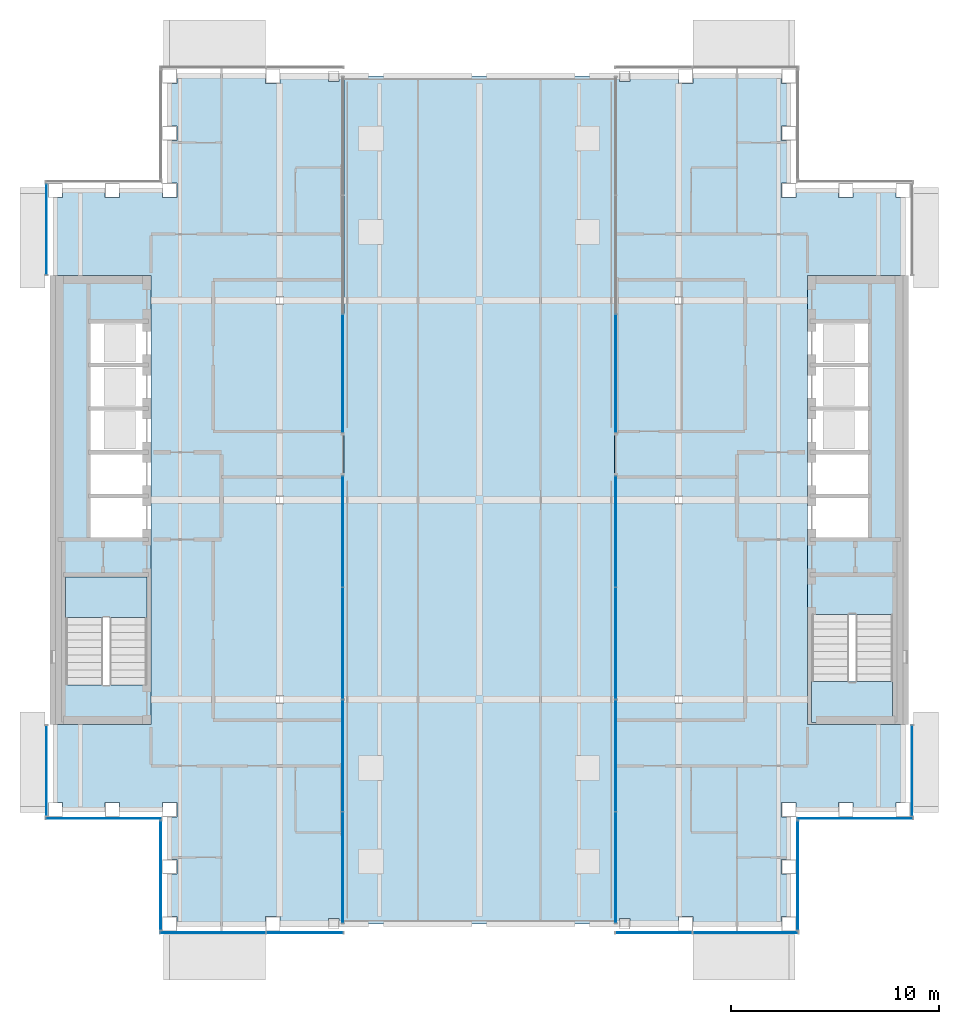
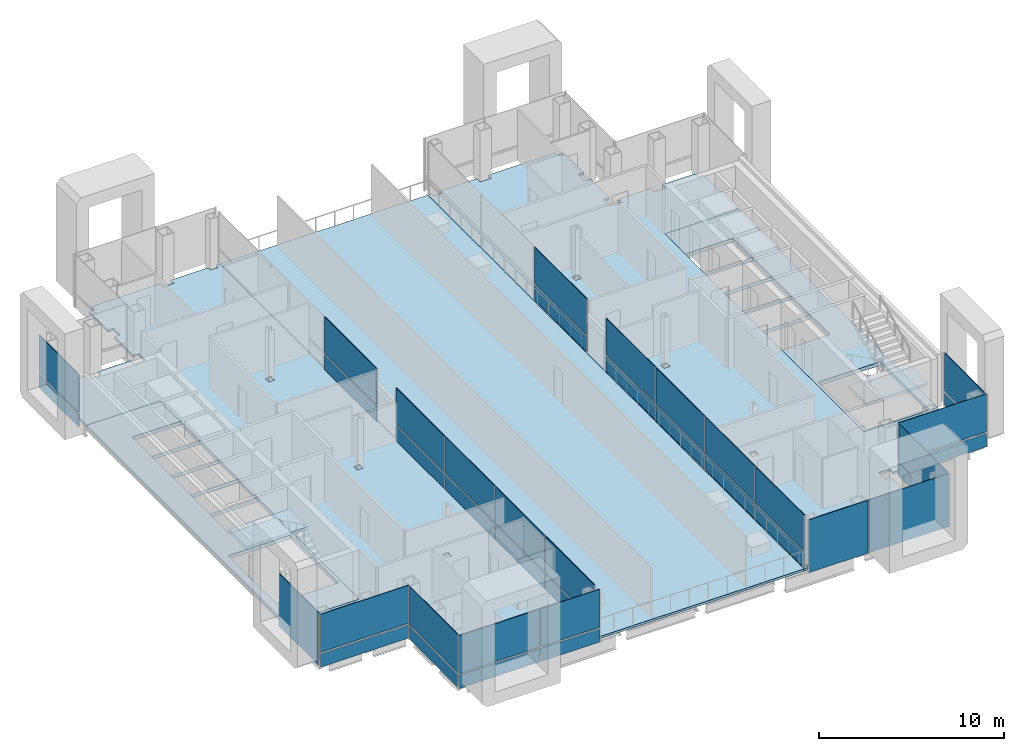
# One storey, part 9 of 17: 39 plates, 7 slabs, 15 elements without a shape of their own.
"""IFC4 building model written with IfcOpenShell, lengths in metres."""

from ifc_helpers import new_model, si_unit, direction, frame, origin, origin_2d, place, context, subcontext, project, spatial, polyline, rectangle, outline, extrude, material, layer, layer_set, type_object, element, aggregate, save


model = new_model("IFC4")

# Units and contexts
model_context = context("Model", 3, precision=1e-05, world=origin(), true_north=direction((0.0, 1.0)))
body_context = subcontext(model_context, "Body", "Model", "MODEL_VIEW")
ifc_project = project(units=[si_unit("LENGTHUNIT", "METRE"), si_unit("AREAUNIT", "SQUARE_METRE"), si_unit("VOLUMEUNIT", "CUBIC_METRE"), si_unit("PLANEANGLEUNIT", "RADIAN"), si_unit("MASSUNIT", "GRAM", prefix="KILO")], contexts=[model_context])

# Site, building, storey
site_placement = place(None, origin())
site = spatial("IfcSite", under=ifc_project, at=site_placement, CompositionType="ELEMENT")
building_placement = place(site_placement, origin())
building = spatial("IfcBuilding", under=site, at=building_placement, Name="Cobrizo Arcos Hotel Tower", CompositionType="ELEMENT")
storey_placement = place(building_placement, frame((0.0, 0.0, 219.0)))
storey = spatial("IfcBuildingStorey", under=building, at=storey_placement, Name="L57", CompositionType="ELEMENT", Elevation=219.0)

# Curtain wall, plates
ifc_material_1 = material(Name="Aluminium 6063-T6 anodised bronze", Category="aluminium")
curtain_wall_type_1 = type_object("IfcCurtainWallType", Name="CW-A guest facade", PredefinedType="NOTDEFINED", material=ifc_material_1)
curtain_wall_1_placement = place(storey_placement, origin())
curtain_wall_1 = element("IfcCurtainWall", 1, at=curtain_wall_1_placement, inside=storey, type_object=curtain_wall_type_1, Name="CW-A L57 S face", PredefinedType="NOTDEFINED")
ifc_material_2 = material(Name="Glass clear laminated low-e", Category="glass")
ifc_layer_1 = layer(ifc_material_2, 0.0400390625)
ifc_layer_set_1 = layer_set([ifc_layer_1], Name="CW-A glass panel")
plate_type_1 = type_object("IfcPlateType", Name="CW-A glass panel", PredefinedType="CURTAIN_PANEL", material=ifc_layer_set_1)
plate_1_placement = place(storey_placement, frame((-12.818359375, -20.824951171875, 0.990234375), z_axis=(0.0, 0.0, 1.0), x_axis=(1.0, 0.0, 0.0)))
plate_1 = element("IfcPlate", 2, at=plate_1_placement, type_object=plate_type_1, Name="CW-A glass panel 1888", PredefinedType="CURTAIN_PANEL", context=body_context, shape_type="SweptSolid", body=[
    extrude(rectangle(XDim=5.043212890625, YDim=0.0400390625, at=origin_2d()), origin(), (0.0, 0.0, 1.0), 2.510009765625),
])
plate_2_placement = place(storey_placement, frame((-8.3984375, -20.824951171875, 0.990234375), z_axis=(0.0, 0.0, 1.0), x_axis=(1.0, 0.0, 0.0)))
plate_2 = element("IfcPlate", 3, at=plate_2_placement, type_object=plate_type_1, Name="CW-A glass panel 1889", PredefinedType="CURTAIN_PANEL", context=body_context, shape_type="SweptSolid", body=[
    extrude(rectangle(XDim=3.6767578125, YDim=0.0400390625, at=origin_2d()), origin(), (0.0, 0.0, 1.0), 2.510009765625),
])

# Curtain wall, plate
curtain_wall_2_placement = place(storey_placement, origin())
curtain_wall_2 = element("IfcCurtainWall", 4, at=curtain_wall_2_placement, inside=storey, type_object=curtain_wall_type_1, Name="CW-A L57 E face", PredefinedType="NOTDEFINED")
plate_3_placement = place(storey_placement, frame((15.324951171875, -18.074951171875, 0.990234375), z_axis=(0.0, 0.0, 1.0), x_axis=(0.0, 1.0, 0.0)))
plate_3 = element("IfcPlate", 5, at=plate_3_placement, type_object=plate_type_1, Name="CW-A glass panel 1892", PredefinedType="CURTAIN_PANEL", context=body_context, shape_type="SweptSolid", body=[
    extrude(rectangle(XDim=5.22998046875, YDim=0.0400390625, at=origin_2d()), origin(), (0.0, 0.0, 1.0), 2.510009765625),
])

curtain_wall_3_placement = place(storey_placement, origin())
curtain_wall_3 = element("IfcCurtainWall", 6, at=curtain_wall_3_placement, inside=storey, type_object=curtain_wall_type_1, Name="CW-A L57 S face", PredefinedType="NOTDEFINED")
plate_4_placement = place(storey_placement, frame((18.074951171875, -15.324951171875, 0.990234375), z_axis=(0.0, 0.0, 1.0), x_axis=(1.0, 0.0, 0.0)))
plate_4 = element("IfcPlate", 7, at=plate_4_placement, type_object=plate_type_1, Name="CW-A glass panel 1893", PredefinedType="CURTAIN_PANEL", context=body_context, shape_type="SweptSolid", body=[
    extrude(rectangle(XDim=5.530029296875, YDim=0.0400390625, at=origin_2d()), origin(), (0.0, 0.0, 1.0), 2.510009765625),
])

curtain_wall_4_placement = place(storey_placement, origin())
curtain_wall_4 = element("IfcCurtainWall", 8, at=curtain_wall_4_placement, inside=storey, type_object=curtain_wall_type_1, Name="CW-A L57 E face", PredefinedType="NOTDEFINED")
plate_5_placement = place(storey_placement, frame((20.824951171875, -13.02490234375, 0.990234375), z_axis=(0.0, 0.0, 1.0), x_axis=(0.0, 1.0, 0.0)))
plate_5 = element("IfcPlate", 9, at=plate_5_placement, type_object=plate_type_1, Name="CW-A glass panel 1894", PredefinedType="CURTAIN_PANEL", context=body_context, shape_type="SweptSolid", body=[
    extrude(rectangle(XDim=4.330078125, YDim=0.0400390625, at=origin_2d()), origin(), (0.0, 0.0, 1.0), 2.510009765625),
])

curtain_wall_5_placement = place(storey_placement, origin())
curtain_wall_5 = element("IfcCurtainWall", 10, at=curtain_wall_5_placement, inside=storey, type_object=curtain_wall_type_1, Name="CW-A L57 W face", PredefinedType="NOTDEFINED")
plate_6_placement = place(storey_placement, frame((-20.824951171875, 13.02490234375, 0.990234375), z_axis=(0.0, 0.0, 1.0), x_axis=(0.0, -1.0, 0.0)))
plate_6 = element("IfcPlate", 11, at=plate_6_placement, type_object=plate_type_1, Name="CW-A glass panel 1904", PredefinedType="CURTAIN_PANEL", context=body_context, shape_type="SweptSolid", body=[
    extrude(rectangle(XDim=4.330078125, YDim=0.0400390625, at=origin_2d()), origin(), (0.0, 0.0, 1.0), 2.510009765625),
])

curtain_wall_6_placement = place(storey_placement, origin())
curtain_wall_6 = element("IfcCurtainWall", 12, at=curtain_wall_6_placement, inside=storey, type_object=curtain_wall_type_1, Name="CW-A L57 S face", PredefinedType="NOTDEFINED")
plate_7_placement = place(storey_placement, frame((-18.074951171875, -15.324951171875, 0.990234375), z_axis=(0.0, 0.0, 1.0), x_axis=(1.0, 0.0, 0.0)))
plate_7 = element("IfcPlate", 13, at=plate_7_placement, type_object=plate_type_1, Name="CW-A glass panel 1906", PredefinedType="CURTAIN_PANEL", context=body_context, shape_type="SweptSolid", body=[
    extrude(rectangle(XDim=5.530029296875, YDim=0.0400390625, at=origin_2d()), origin(), (0.0, 0.0, 1.0), 2.510009765625),
])

curtain_wall_7_placement = place(storey_placement, origin())
curtain_wall_7 = element("IfcCurtainWall", 14, at=curtain_wall_7_placement, inside=storey, type_object=curtain_wall_type_1, Name="CW-A L57 W face", PredefinedType="NOTDEFINED")
plate_8_placement = place(storey_placement, frame((-15.324951171875, -18.074951171875, 0.990234375), z_axis=(0.0, 0.0, 1.0), x_axis=(0.0, -1.0, 0.0)))
plate_8 = element("IfcPlate", 15, at=plate_8_placement, type_object=plate_type_1, Name="CW-A glass panel 1907", PredefinedType="CURTAIN_PANEL", context=body_context, shape_type="SweptSolid", body=[
    extrude(rectangle(XDim=5.22998046875, YDim=0.0400390625, at=origin_2d()), origin(), (0.0, 0.0, 1.0), 2.510009765625),
])

# Plate
ifc_material_3 = material(Name="Aluminium composite panel pale metal", Category="aluminium")
ifc_layer_2 = layer(ifc_material_3, 0.0400390625)
ifc_layer_set_2 = layer_set([ifc_layer_2], Name="CW-A spandrel panel")
plate_type_2 = type_object("IfcPlateType", Name="CW-A spandrel panel", PredefinedType="CURTAIN_PANEL", material=ifc_layer_set_2)
plate_9_placement = place(storey_placement, frame((-12.818359375, -20.824951171875, 0.0), z_axis=(0.0, 0.0, 1.0), x_axis=(1.0, 0.0, 0.0)))
plate_9 = element("IfcPlate", 16, at=plate_9_placement, type_object=plate_type_2, Name="CW-A spandrel panel 1888", PredefinedType="CURTAIN_PANEL", context=body_context, shape_type="SweptSolid", body=[
    extrude(rectangle(XDim=5.043212890625, YDim=0.0400390625, at=origin_2d()), origin(), (0.0, 0.0, 1.0), 0.8701171875),
])

plate_10_placement = place(storey_placement, frame((-8.3984375, -20.824951171875, 0.0), z_axis=(0.0, 0.0, 1.0), x_axis=(1.0, 0.0, 0.0)))
plate_10 = element("IfcPlate", 17, at=plate_10_placement, type_object=plate_type_2, Name="CW-A spandrel panel 1889", PredefinedType="CURTAIN_PANEL", context=body_context, shape_type="SweptSolid", body=[
    extrude(rectangle(XDim=3.6767578125, YDim=0.0400390625, at=origin_2d()), origin(), (0.0, 0.0, 1.0), 0.8701171875),
])

aggregate(curtain_wall_1, [plate_9, plate_1, plate_10, plate_2])

# Curtain wall, plates
curtain_wall_8_placement = place(storey_placement, origin())
curtain_wall_8 = element("IfcCurtainWall", 18, at=curtain_wall_8_placement, inside=storey, type_object=curtain_wall_type_1, Name="CW-A L57 S face", PredefinedType="NOTDEFINED")
plate_11_placement = place(storey_placement, frame((8.3984375, -20.824951171875, 0.0), z_axis=(0.0, 0.0, 1.0), x_axis=(1.0, 0.0, 0.0)))
plate_11 = element("IfcPlate", 19, at=plate_11_placement, type_object=plate_type_2, Name="CW-A spandrel panel 1890", PredefinedType="CURTAIN_PANEL", context=body_context, shape_type="SweptSolid", body=[
    extrude(rectangle(XDim=3.6767578125, YDim=0.0400390625, at=origin_2d()), origin(), (0.0, 0.0, 1.0), 3.5),
])
plate_12_placement = place(storey_placement, frame((12.818359375, -20.824951171875, 0.0), z_axis=(0.0, 0.0, 1.0), x_axis=(1.0, 0.0, 0.0)))
plate_12 = element("IfcPlate", 20, at=plate_12_placement, type_object=plate_type_2, Name="CW-A spandrel panel 1891", PredefinedType="CURTAIN_PANEL", context=body_context, shape_type="SweptSolid", body=[
    extrude(rectangle(XDim=5.043212890625, YDim=0.0400390625, at=origin_2d()), origin(), (0.0, 0.0, 1.0), 3.5),
])
aggregate(curtain_wall_8, [plate_11, plate_12])

# Plate
plate_13_placement = place(storey_placement, frame((15.324951171875, -18.074951171875, 0.0), z_axis=(0.0, 0.0, 1.0), x_axis=(0.0, 1.0, 0.0)))
plate_13 = element("IfcPlate", 21, at=plate_13_placement, type_object=plate_type_2, Name="CW-A spandrel panel 1892", PredefinedType="CURTAIN_PANEL", context=body_context, shape_type="SweptSolid", body=[
    extrude(rectangle(XDim=5.22998046875, YDim=0.0400390625, at=origin_2d()), origin(), (0.0, 0.0, 1.0), 0.8701171875),
])

aggregate(curtain_wall_2, [plate_13, plate_3])

plate_14_placement = place(storey_placement, frame((18.074951171875, -15.324951171875, 0.0), z_axis=(0.0, 0.0, 1.0), x_axis=(1.0, 0.0, 0.0)))
plate_14 = element("IfcPlate", 22, at=plate_14_placement, type_object=plate_type_2, Name="CW-A spandrel panel 1893", PredefinedType="CURTAIN_PANEL", context=body_context, shape_type="SweptSolid", body=[
    extrude(rectangle(XDim=5.530029296875, YDim=0.0400390625, at=origin_2d()), origin(), (0.0, 0.0, 1.0), 0.8701171875),
])

aggregate(curtain_wall_3, [plate_14, plate_4])

plate_15_placement = place(storey_placement, frame((20.824951171875, -13.02490234375, 0.0), z_axis=(0.0, 0.0, 1.0), x_axis=(0.0, 1.0, 0.0)))
plate_15 = element("IfcPlate", 23, at=plate_15_placement, type_object=plate_type_2, Name="CW-A spandrel panel 1894", PredefinedType="CURTAIN_PANEL", context=body_context, shape_type="SweptSolid", body=[
    extrude(rectangle(XDim=4.330078125, YDim=0.0400390625, at=origin_2d()), origin(), (0.0, 0.0, 1.0), 0.8701171875),
])

aggregate(curtain_wall_4, [plate_15, plate_5])

plate_16_placement = place(storey_placement, frame((-20.824951171875, 13.02490234375, 0.0), z_axis=(0.0, 0.0, 1.0), x_axis=(0.0, -1.0, 0.0)))
plate_16 = element("IfcPlate", 24, at=plate_16_placement, type_object=plate_type_2, Name="CW-A spandrel panel 1904", PredefinedType="CURTAIN_PANEL", context=body_context, shape_type="SweptSolid", body=[
    extrude(rectangle(XDim=4.330078125, YDim=0.0400390625, at=origin_2d()), origin(), (0.0, 0.0, 1.0), 0.8701171875),
])

aggregate(curtain_wall_5, [plate_16, plate_6])

# Curtain wall, plate
curtain_wall_9_placement = place(storey_placement, origin())
curtain_wall_9 = element("IfcCurtainWall", 25, at=curtain_wall_9_placement, inside=storey, type_object=curtain_wall_type_1, Name="CW-A L57 W face", PredefinedType="NOTDEFINED")
plate_17_placement = place(storey_placement, frame((-20.824951171875, -13.02490234375, 0.0), z_axis=(0.0, 0.0, 1.0), x_axis=(0.0, -1.0, 0.0)))
plate_17 = element("IfcPlate", 26, at=plate_17_placement, type_object=plate_type_2, Name="CW-A spandrel panel 1905", PredefinedType="CURTAIN_PANEL", context=body_context, shape_type="SweptSolid", body=[
    extrude(rectangle(XDim=4.330078125, YDim=0.0400390625, at=origin_2d()), origin(), (0.0, 0.0, 1.0), 3.5),
])
aggregate(curtain_wall_9, [plate_17])

# Plate
plate_18_placement = place(storey_placement, frame((-18.074951171875, -15.324951171875, 0.0), z_axis=(0.0, 0.0, 1.0), x_axis=(1.0, 0.0, 0.0)))
plate_18 = element("IfcPlate", 27, at=plate_18_placement, type_object=plate_type_2, Name="CW-A spandrel panel 1906", PredefinedType="CURTAIN_PANEL", context=body_context, shape_type="SweptSolid", body=[
    extrude(rectangle(XDim=5.530029296875, YDim=0.0400390625, at=origin_2d()), origin(), (0.0, 0.0, 1.0), 0.8701171875),
])

aggregate(curtain_wall_6, [plate_18, plate_7])

plate_19_placement = place(storey_placement, frame((-15.324951171875, -18.074951171875, 0.0), z_axis=(0.0, 0.0, 1.0), x_axis=(0.0, -1.0, 0.0)))
plate_19 = element("IfcPlate", 28, at=plate_19_placement, type_object=plate_type_2, Name="CW-A spandrel panel 1907", PredefinedType="CURTAIN_PANEL", context=body_context, shape_type="SweptSolid", body=[
    extrude(rectangle(XDim=5.22998046875, YDim=0.0400390625, at=origin_2d()), origin(), (0.0, 0.0, 1.0), 0.8701171875),
])

aggregate(curtain_wall_7, [plate_19, plate_8])

# Curtain wall, plates
curtain_wall_type_2 = type_object("IfcCurtainWallType", Name="CW-F void screen", PredefinedType="NOTDEFINED", material=ifc_material_1)
curtain_wall_10_placement = place(storey_placement, origin())
curtain_wall_10 = element("IfcCurtainWall", 29, at=curtain_wall_10_placement, inside=storey, type_object=curtain_wall_type_2, Name="CW-F L57 void screen C", PredefinedType="NOTDEFINED")
ifc_layer_3 = layer(ifc_material_2, 0.0400390625)
ifc_layer_set_3 = layer_set([ifc_layer_3], Name="CW-F glass panel")
plate_type_3 = type_object("IfcPlateType", Name="CW-F glass panel", PredefinedType="CURTAIN_PANEL", material=ifc_layer_set_3)
plate_20_placement = place(storey_placement, frame((6.574951171875, -17.68505859375, 0.0), z_axis=(0.0, 0.0, 1.0), x_axis=(0.0, 1.0, 0.0)))
plate_20 = element("IfcPlate", 30, at=plate_20_placement, type_object=plate_type_3, Name="CW-F glass panel 2686", PredefinedType="CURTAIN_PANEL", context=body_context, shape_type="SweptSolid", body=[
    extrude(rectangle(XDim=5.31005859375, YDim=0.0400390625, at=origin_2d()), origin(), (0.0, 0.0, 1.0), 0.989990234375),
])
plate_21_placement = place(storey_placement, frame((6.574951171875, -17.68505859375, 1.10986328125), z_axis=(0.0, 0.0, 1.0), x_axis=(0.0, 1.0, 0.0)))
plate_21 = element("IfcPlate", 31, at=plate_21_placement, type_object=plate_type_3, Name="CW-F glass panel 2686", PredefinedType="CURTAIN_PANEL", context=body_context, shape_type="SweptSolid", body=[
    extrude(rectangle(XDim=5.31005859375, YDim=0.0400390625, at=origin_2d()), origin(), (0.0, 0.0, 1.0), 2.389892578125),
])
plate_22_placement = place(storey_placement, frame((6.574951171875, -12.300048828125, 0.0), z_axis=(0.0, 0.0, 1.0), x_axis=(0.0, 1.0, 0.0)))
plate_22 = element("IfcPlate", 32, at=plate_22_placement, type_object=plate_type_3, Name="CW-F glass panel 2687", PredefinedType="CURTAIN_PANEL", context=body_context, shape_type="SweptSolid", body=[
    extrude(rectangle(XDim=5.340087890625, YDim=0.0400390625, at=origin_2d()), origin(), (0.0, 0.0, 1.0), 0.989990234375),
])
plate_23_placement = place(storey_placement, frame((6.574951171875, -12.300048828125, 1.10986328125), z_axis=(0.0, 0.0, 1.0), x_axis=(0.0, 1.0, 0.0)))
plate_23 = element("IfcPlate", 33, at=plate_23_placement, type_object=plate_type_3, Name="CW-F glass panel 2687", PredefinedType="CURTAIN_PANEL", context=body_context, shape_type="SweptSolid", body=[
    extrude(rectangle(XDim=5.340087890625, YDim=0.0400390625, at=origin_2d()), origin(), (0.0, 0.0, 1.0), 2.389892578125),
])
plate_24_placement = place(storey_placement, frame((6.574951171875, -6.89990234375, 0.0), z_axis=(0.0, 0.0, 1.0), x_axis=(0.0, 1.0, 0.0)))
plate_24 = element("IfcPlate", 34, at=plate_24_placement, type_object=plate_type_3, Name="CW-F glass panel 2688", PredefinedType="CURTAIN_PANEL", context=body_context, shape_type="SweptSolid", body=[
    extrude(rectangle(XDim=5.340087890625, YDim=0.0400390625, at=origin_2d()), origin(), (0.0, 0.0, 1.0), 0.989990234375),
])
plate_25_placement = place(storey_placement, frame((6.574951171875, -6.89990234375, 1.10986328125), z_axis=(0.0, 0.0, 1.0), x_axis=(0.0, 1.0, 0.0)))
plate_25 = element("IfcPlate", 35, at=plate_25_placement, type_object=plate_type_3, Name="CW-F glass panel 2688", PredefinedType="CURTAIN_PANEL", context=body_context, shape_type="SweptSolid", body=[
    extrude(rectangle(XDim=5.340087890625, YDim=0.0400390625, at=origin_2d()), origin(), (0.0, 0.0, 1.0), 2.389892578125),
])
plate_26_placement = place(storey_placement, frame((6.574951171875, -1.514892578125, 0.0), z_axis=(0.0, 0.0, 1.0), x_axis=(0.0, 1.0, 0.0)))
plate_26 = element("IfcPlate", 36, at=plate_26_placement, type_object=plate_type_3, Name="CW-F glass panel 2689", PredefinedType="CURTAIN_PANEL", context=body_context, shape_type="SweptSolid", body=[
    extrude(rectangle(XDim=5.31005859375, YDim=0.0400390625, at=origin_2d()), origin(), (0.0, 0.0, 1.0), 0.989990234375),
])
plate_27_placement = place(storey_placement, frame((6.574951171875, -1.514892578125, 1.10986328125), z_axis=(0.0, 0.0, 1.0), x_axis=(0.0, 1.0, 0.0)))
plate_27 = element("IfcPlate", 37, at=plate_27_placement, type_object=plate_type_3, Name="CW-F glass panel 2689", PredefinedType="CURTAIN_PANEL", context=body_context, shape_type="SweptSolid", body=[
    extrude(rectangle(XDim=5.31005859375, YDim=0.0400390625, at=origin_2d()), origin(), (0.0, 0.0, 1.0), 2.389892578125),
])
aggregate(curtain_wall_10, [plate_20, plate_21, plate_22, plate_23, plate_24, plate_25, plate_26, plate_27])

curtain_wall_11_placement = place(storey_placement, origin())
curtain_wall_11 = element("IfcCurtainWall", 38, at=curtain_wall_11_placement, inside=storey, type_object=curtain_wall_type_2, Name="CW-F L57 void screen C", PredefinedType="NOTDEFINED")
plate_28_placement = place(storey_placement, frame((6.574951171875, 6.081787109375, 0.0), z_axis=(0.0, 0.0, 1.0), x_axis=(0.0, 1.0, 0.0)))
plate_28 = element("IfcPlate", 39, at=plate_28_placement, type_object=plate_type_3, Name="CW-F glass panel 2690", PredefinedType="CURTAIN_PANEL", context=body_context, shape_type="SweptSolid", body=[
    extrude(rectangle(XDim=5.643310546875, YDim=0.0400390625, at=origin_2d()), origin(), (0.0, 0.0, 1.0), 0.989990234375),
])
plate_29_placement = place(storey_placement, frame((6.574951171875, 6.081787109375, 1.10986328125), z_axis=(0.0, 0.0, 1.0), x_axis=(0.0, 1.0, 0.0)))
plate_29 = element("IfcPlate", 40, at=plate_29_placement, type_object=plate_type_3, Name="CW-F glass panel 2690", PredefinedType="CURTAIN_PANEL", context=body_context, shape_type="SweptSolid", body=[
    extrude(rectangle(XDim=5.643310546875, YDim=0.0400390625, at=origin_2d()), origin(), (0.0, 0.0, 1.0), 2.389892578125),
])
aggregate(curtain_wall_11, [plate_28, plate_29])

curtain_wall_12_placement = place(storey_placement, origin())
curtain_wall_12 = element("IfcCurtainWall", 41, at=curtain_wall_12_placement, inside=storey, type_object=curtain_wall_type_2, Name="CW-F L57 void screen C", PredefinedType="NOTDEFINED")
plate_30_placement = place(storey_placement, frame((-6.574951171875, 6.081787109375, 0.0), z_axis=(0.0, 0.0, 1.0), x_axis=(0.0, -1.0, 0.0)))
plate_30 = element("IfcPlate", 42, at=plate_30_placement, type_object=plate_type_3, Name="CW-F glass panel 2695", PredefinedType="CURTAIN_PANEL", context=body_context, shape_type="SweptSolid", body=[
    extrude(rectangle(XDim=5.643310546875, YDim=0.0400390625, at=origin_2d()), origin(), (0.0, 0.0, 1.0), 0.989990234375),
])
plate_31_placement = place(storey_placement, frame((-6.574951171875, 6.081787109375, 1.10986328125), z_axis=(0.0, 0.0, 1.0), x_axis=(0.0, -1.0, 0.0)))
plate_31 = element("IfcPlate", 43, at=plate_31_placement, type_object=plate_type_3, Name="CW-F glass panel 2695", PredefinedType="CURTAIN_PANEL", context=body_context, shape_type="SweptSolid", body=[
    extrude(rectangle(XDim=5.643310546875, YDim=0.0400390625, at=origin_2d()), origin(), (0.0, 0.0, 1.0), 2.389892578125),
])
aggregate(curtain_wall_12, [plate_30, plate_31])

curtain_wall_13_placement = place(storey_placement, origin())
curtain_wall_13 = element("IfcCurtainWall", 44, at=curtain_wall_13_placement, inside=storey, type_object=curtain_wall_type_2, Name="CW-F L57 void screen C", PredefinedType="NOTDEFINED")
plate_32_placement = place(storey_placement, frame((-6.574951171875, -1.514892578125, 0.0), z_axis=(0.0, 0.0, 1.0), x_axis=(0.0, -1.0, 0.0)))
plate_32 = element("IfcPlate", 45, at=plate_32_placement, type_object=plate_type_3, Name="CW-F glass panel 2696", PredefinedType="CURTAIN_PANEL", context=body_context, shape_type="SweptSolid", body=[
    extrude(rectangle(XDim=5.31005859375, YDim=0.0400390625, at=origin_2d()), origin(), (0.0, 0.0, 1.0), 0.989990234375),
])
plate_33_placement = place(storey_placement, frame((-6.574951171875, -1.514892578125, 1.10986328125), z_axis=(0.0, 0.0, 1.0), x_axis=(0.0, -1.0, 0.0)))
plate_33 = element("IfcPlate", 46, at=plate_33_placement, type_object=plate_type_3, Name="CW-F glass panel 2696", PredefinedType="CURTAIN_PANEL", context=body_context, shape_type="SweptSolid", body=[
    extrude(rectangle(XDim=5.31005859375, YDim=0.0400390625, at=origin_2d()), origin(), (0.0, 0.0, 1.0), 2.389892578125),
])
plate_34_placement = place(storey_placement, frame((-6.574951171875, -6.89990234375, 0.0), z_axis=(0.0, 0.0, 1.0), x_axis=(0.0, -1.0, 0.0)))
plate_34 = element("IfcPlate", 47, at=plate_34_placement, type_object=plate_type_3, Name="CW-F glass panel 2697", PredefinedType="CURTAIN_PANEL", context=body_context, shape_type="SweptSolid", body=[
    extrude(rectangle(XDim=5.340087890625, YDim=0.0400390625, at=origin_2d()), origin(), (0.0, 0.0, 1.0), 0.989990234375),
])
plate_35_placement = place(storey_placement, frame((-6.574951171875, -6.89990234375, 1.10986328125), z_axis=(0.0, 0.0, 1.0), x_axis=(0.0, -1.0, 0.0)))
plate_35 = element("IfcPlate", 48, at=plate_35_placement, type_object=plate_type_3, Name="CW-F glass panel 2697", PredefinedType="CURTAIN_PANEL", context=body_context, shape_type="SweptSolid", body=[
    extrude(rectangle(XDim=5.340087890625, YDim=0.0400390625, at=origin_2d()), origin(), (0.0, 0.0, 1.0), 2.389892578125),
])
plate_36_placement = place(storey_placement, frame((-6.574951171875, -12.300048828125, 0.0), z_axis=(0.0, 0.0, 1.0), x_axis=(0.0, -1.0, 0.0)))
plate_36 = element("IfcPlate", 49, at=plate_36_placement, type_object=plate_type_3, Name="CW-F glass panel 2698", PredefinedType="CURTAIN_PANEL", context=body_context, shape_type="SweptSolid", body=[
    extrude(rectangle(XDim=5.340087890625, YDim=0.0400390625, at=origin_2d()), origin(), (0.0, 0.0, 1.0), 0.989990234375),
])
plate_37_placement = place(storey_placement, frame((-6.574951171875, -12.300048828125, 1.10986328125), z_axis=(0.0, 0.0, 1.0), x_axis=(0.0, -1.0, 0.0)))
plate_37 = element("IfcPlate", 50, at=plate_37_placement, type_object=plate_type_3, Name="CW-F glass panel 2698", PredefinedType="CURTAIN_PANEL", context=body_context, shape_type="SweptSolid", body=[
    extrude(rectangle(XDim=5.340087890625, YDim=0.0400390625, at=origin_2d()), origin(), (0.0, 0.0, 1.0), 2.389892578125),
])
plate_38_placement = place(storey_placement, frame((-6.574951171875, -17.68505859375, 0.0), z_axis=(0.0, 0.0, 1.0), x_axis=(0.0, -1.0, 0.0)))
plate_38 = element("IfcPlate", 51, at=plate_38_placement, type_object=plate_type_3, Name="CW-F glass panel 2699", PredefinedType="CURTAIN_PANEL", context=body_context, shape_type="SweptSolid", body=[
    extrude(rectangle(XDim=5.31005859375, YDim=0.0400390625, at=origin_2d()), origin(), (0.0, 0.0, 1.0), 0.989990234375),
])
plate_39_placement = place(storey_placement, frame((-6.574951171875, -17.68505859375, 1.10986328125), z_axis=(0.0, 0.0, 1.0), x_axis=(0.0, -1.0, 0.0)))
plate_39 = element("IfcPlate", 52, at=plate_39_placement, type_object=plate_type_3, Name="CW-F glass panel 2699", PredefinedType="CURTAIN_PANEL", context=body_context, shape_type="SweptSolid", body=[
    extrude(rectangle(XDim=5.31005859375, YDim=0.0400390625, at=origin_2d()), origin(), (0.0, 0.0, 1.0), 2.389892578125),
])
aggregate(curtain_wall_13, [plate_32, plate_33, plate_34, plate_35, plate_36, plate_37, plate_38, plate_39])

# Slabs
ifc_material_4 = material(Name="Concrete f'c 35 MPa", Category="concrete")
ifc_layer_4 = layer(ifc_material_4, 0.14990234375)
ifc_layer_set_4 = layer_set([ifc_layer_4], Name="Composite floor slab 150 f'c 35")
slab_type_1 = type_object("IfcSlabType", Name="Composite floor slab 150 f'c 35", PredefinedType="FLOOR", material=ifc_layer_set_4)
slab_1_placement = place(storey_placement, frame((0.0, 0.0, -0.14990234375)))
element("IfcSlab", 53, at=slab_1_placement, inside=storey, type_object=slab_type_1, Name="Floor slab S5, L57, no. 01", PredefinedType="FLOOR", context=body_context, shape_type="SweptSolid", body=[
    extrude(outline(polyline([(-14.550048828125, -20.050048828125), (-14.89990234375, -20.050048828125), (-14.89990234375, -18.0), (-14.550048828125, -18.0), (-14.550048828125, -17.300048828125), (-14.89990234375, -17.300048828125), (-14.89990234375, -15.25), (-14.550048828125, -15.25), (-14.550048828125, -14.550048828125), (-15.25, -14.550048828125), (-15.25, -14.89990234375), (-17.300048828125, -14.89990234375), (-17.300048828125, -14.550048828125), (-18.0, -14.550048828125), (-18.0, -14.89990234375), (-20.050048828125, -14.89990234375), (-20.050048828125, -14.550048828125), (-20.39990234375, -14.550048828125), (-20.39990234375, -10.800048828125), (-15.800048828125, -10.800048828125), (-15.800048828125, 10.800048828125), (-20.39990234375, 10.800048828125), (-20.39990234375, 14.550048828125), (-20.050048828125, 14.550048828125), (-20.050048828125, 14.89990234375), (-18.0, 14.89990234375), (-18.0, 14.550048828125), (-17.300048828125, 14.550048828125), (-17.300048828125, 14.89990234375), (-15.25, 14.89990234375), (-15.25, 14.550048828125), (-14.550048828125, 14.550048828125), (-14.550048828125, 15.25), (-14.89990234375, 15.25), (-14.89990234375, 17.300048828125), (-14.550048828125, 17.300048828125), (-14.550048828125, 18.0), (-14.89990234375, 18.0), (-14.89990234375, 20.050048828125), (-14.550048828125, 20.050048828125), (-14.550048828125, 20.39990234375), (-10.282958984375, 20.39990234375), (-10.282958984375, 20.050048828125), (-9.5830078125, 20.050048828125), (-9.5830078125, 20.39990234375), (-7.25, 20.39990234375), (-7.25, 20.14990234375), (-6.75, 20.14990234375), (-6.75, 20.39990234375), (-6.5, 20.39990234375), (-6.5, -20.39990234375), (-6.75, -20.39990234375), (-6.75, -20.14990234375), (-7.25, -20.14990234375), (-7.25, -20.39990234375), (-9.5830078125, -20.39990234375), (-9.5830078125, -20.050048828125), (-10.282958984375, -20.050048828125), (-10.282958984375, -20.39990234375), (-14.550048828125, -20.39990234375), (-14.550048828125, -20.050048828125)]), holes=[polyline([(-9.413330078125, -9.78662109375), (-9.413330078125, -9.413330078125), (-9.78662109375, -9.413330078125), (-9.78662109375, -9.78662109375), (-9.413330078125, -9.78662109375)]), polyline([(-9.413330078125, 0.186767578125), (-9.78662109375, 0.186767578125), (-9.78662109375, -0.186767578125), (-9.413330078125, -0.186767578125), (-9.413330078125, 0.186767578125)]), polyline([(-9.413330078125, 9.78662109375), (-9.78662109375, 9.78662109375), (-9.78662109375, 9.413330078125), (-9.413330078125, 9.413330078125), (-9.413330078125, 9.78662109375)])]), origin(), (0.0, 0.0, 1.0), 0.14990234375),
])
slab_2_placement = place(storey_placement, frame((0.0, 0.0, -0.14990234375)))
element("IfcSlab", 54, at=slab_2_placement, inside=storey, type_object=slab_type_1, Name="Floor slab S5, L57, no. 02", PredefinedType="FLOOR", context=body_context, shape_type="SweptSolid", body=[
    extrude(outline(polyline([(6.75, 20.39990234375), (6.75, 20.14990234375), (7.25, 20.14990234375), (7.25, 20.39990234375), (9.5830078125, 20.39990234375), (9.5830078125, 20.050048828125), (10.282958984375, 20.050048828125), (10.282958984375, 20.39990234375), (14.550048828125, 20.39990234375), (14.550048828125, 20.050048828125), (14.89990234375, 20.050048828125), (14.89990234375, 18.0), (14.550048828125, 18.0), (14.550048828125, 17.300048828125), (14.89990234375, 17.300048828125), (14.89990234375, 15.25), (14.550048828125, 15.25), (14.550048828125, 14.550048828125), (15.25, 14.550048828125), (15.25, 14.89990234375), (17.300048828125, 14.89990234375), (17.300048828125, 14.550048828125), (18.0, 14.550048828125), (18.0, 14.89990234375), (20.050048828125, 14.89990234375), (20.050048828125, 14.550048828125), (20.39990234375, 14.550048828125), (20.39990234375, 10.800048828125), (15.800048828125, 10.800048828125), (15.800048828125, -10.800048828125), (20.39990234375, -10.800048828125), (20.39990234375, -14.550048828125), (20.050048828125, -14.550048828125), (20.050048828125, -14.89990234375), (18.0, -14.89990234375), (18.0, -14.550048828125), (17.300048828125, -14.550048828125), (17.300048828125, -14.89990234375), (15.25, -14.89990234375), (15.25, -14.550048828125), (14.550048828125, -14.550048828125), (14.550048828125, -15.25), (14.89990234375, -15.25), (14.89990234375, -17.300048828125), (14.550048828125, -17.300048828125), (14.550048828125, -18.0), (14.89990234375, -18.0), (14.89990234375, -20.050048828125), (14.550048828125, -20.050048828125), (14.550048828125, -20.39990234375), (10.282958984375, -20.39990234375), (10.282958984375, -20.050048828125), (9.5830078125, -20.050048828125), (9.5830078125, -20.39990234375), (7.25, -20.39990234375), (7.25, -20.14990234375), (6.75, -20.14990234375), (6.75, -20.39990234375), (6.5, -20.39990234375), (6.5, 20.39990234375), (6.75, 20.39990234375)]), holes=[polyline([(9.78662109375, -9.78662109375), (9.78662109375, -9.413330078125), (9.413330078125, -9.413330078125), (9.413330078125, -9.78662109375), (9.78662109375, -9.78662109375)]), polyline([(9.78662109375, -0.186767578125), (9.78662109375, 0.186767578125), (9.413330078125, 0.186767578125), (9.413330078125, -0.186767578125), (9.78662109375, -0.186767578125)]), polyline([(9.78662109375, 9.78662109375), (9.413330078125, 9.78662109375), (9.413330078125, 9.413330078125), (9.78662109375, 9.413330078125), (9.78662109375, 9.78662109375)])]), origin(), (0.0, 0.0, 1.0), 0.14990234375),
])
slab_3_placement = place(storey_placement, frame((0.0, 0.0, -0.14990234375)))
element("IfcSlab", 55, at=slab_3_placement, inside=storey, type_object=slab_type_1, Name="Floor slab S5, L57, no. 03", PredefinedType="FLOOR", context=body_context, shape_type="SweptSolid", body=[
    extrude(outline(polyline([(6.5, 20.39990234375), (6.5, -20.39990234375), (-6.5, -20.39990234375), (-6.5, 20.39990234375), (6.5, 20.39990234375)])), origin(), (0.0, 0.0, 1.0), 0.14990234375),
])
ifc_material_5 = material(Name="Concrete f'c 40 MPa", Category="concrete")
ifc_layer_5 = layer(ifc_material_5, 0.25)
ifc_layer_set_5 = layer_set([ifc_layer_5], Name="RC core floor slab 250 f'c 40")
slab_type_2 = type_object("IfcSlabType", Name="RC core floor slab 250 f'c 40", PredefinedType="FLOOR", material=ifc_layer_set_5)
slab_4_placement = place(storey_placement, frame((0.0, 0.0, -0.25)))
element("IfcSlab", 56, at=slab_4_placement, inside=storey, type_object=slab_type_2, Name="Core floor slab CS7, east core, L57", PredefinedType="FLOOR", context=body_context, shape_type="SweptSolid", body=[
    extrude(outline(polyline([(15.800048828125, 10.800048828125), (20.39990234375, 10.800048828125), (20.39990234375, -10.800048828125), (15.800048828125, -10.800048828125), (15.800048828125, 10.800048828125)]), holes=[polyline([(19.89794921875, -10.697998046875), (19.89794921875, -5.501953125), (16.001953125, -5.501953125), (16.001953125, -10.697998046875), (19.89794921875, -10.697998046875)]), polyline([(15.802001953125, 0.197998046875), (15.802001953125, -1.89794921875), (18.798095703125, -1.89794921875), (18.798095703125, 0.197998046875), (15.802001953125, 0.197998046875)]), polyline([(15.802001953125, 2.298095703125), (15.802001953125, 0.201904296875), (18.798095703125, 0.201904296875), (18.798095703125, 2.298095703125), (15.802001953125, 2.298095703125)]), polyline([(15.802001953125, 4.39794921875), (15.802001953125, 2.302001953125), (18.798095703125, 2.302001953125), (18.798095703125, 4.39794921875), (15.802001953125, 4.39794921875)]), polyline([(18.798095703125, 6.498046875), (15.802001953125, 6.498046875), (15.802001953125, 4.402099609375), (18.798095703125, 4.402099609375), (18.798095703125, 6.498046875)]), polyline([(18.798095703125, 8.597900390625), (15.802001953125, 8.597900390625), (15.802001953125, 6.501953125), (18.798095703125, 6.501953125), (18.798095703125, 8.597900390625)])]), origin(), (0.0, 0.0, 1.0), 0.25),
])
slab_5_placement = place(storey_placement, frame((0.0, 0.0, -0.25)))
element("IfcSlab", 57, at=slab_5_placement, inside=storey, type_object=slab_type_2, Name="Core floor slab CS7, west core, L57", PredefinedType="FLOOR", context=body_context, shape_type="SweptSolid", body=[
    extrude(outline(polyline([(-20.39990234375, 10.800048828125), (-15.800048828125, 10.800048828125), (-15.800048828125, -10.800048828125), (-20.39990234375, -10.800048828125), (-20.39990234375, 10.800048828125)]), holes=[polyline([(-19.89794921875, -3.701904296875), (-19.89794921875, -8.89794921875), (-16.001953125, -8.89794921875), (-16.001953125, -3.701904296875), (-19.89794921875, -3.701904296875)]), polyline([(-18.798095703125, 0.197998046875), (-18.798095703125, -1.89794921875), (-15.802001953125, -1.89794921875), (-15.802001953125, 0.197998046875), (-18.798095703125, 0.197998046875)]), polyline([(-18.798095703125, 2.298095703125), (-18.798095703125, 0.201904296875), (-15.802001953125, 0.201904296875), (-15.802001953125, 2.298095703125), (-18.798095703125, 2.298095703125)]), polyline([(-18.798095703125, 4.39794921875), (-18.798095703125, 2.302001953125), (-15.802001953125, 2.302001953125), (-15.802001953125, 4.39794921875), (-18.798095703125, 4.39794921875)]), polyline([(-15.802001953125, 6.498046875), (-18.798095703125, 6.498046875), (-18.798095703125, 4.402099609375), (-15.802001953125, 4.402099609375), (-15.802001953125, 6.498046875)]), polyline([(-15.802001953125, 8.597900390625), (-18.798095703125, 8.597900390625), (-18.798095703125, 6.501953125), (-15.802001953125, 6.501953125), (-15.802001953125, 8.597900390625)])]), origin(), (0.0, 0.0, 1.0), 0.25),
])

# Stair, slab
stair_type = type_object("IfcStairType", Name="Exit stair", PredefinedType="HALF_TURN_STAIR", material=ifc_material_5)
stair_1_placement = place(storey_placement, origin())
stair_1 = element("IfcStair", 58, at=stair_1_placement, inside=storey, type_object=stair_type, Name="L57 Exit stair ST-W", PredefinedType="HALF_TURN_STAIR")
ifc_layer_6 = layer(ifc_material_5, 0.199951171875)
ifc_layer_set_6 = layer_set([ifc_layer_6], Name="Stair landing")
slab_type_3 = type_object("IfcSlabType", Name="Stair landing", PredefinedType="LANDING", material=ifc_layer_set_6)
slab_6_placement = place(storey_placement, frame((0.0, 0.0, 1.550048828125)))
slab_6 = element("IfcSlab", 59, at=slab_6_placement, type_object=slab_type_3, Name="ST-W landing 1", PredefinedType="LANDING", context=body_context, shape_type="SweptSolid", body=[
    extrude(outline(polyline([(-16.0, -5.659912109375), (-16.0, -3.699951171875), (-19.89990234375, -3.699951171875), (-19.89990234375, -5.659912109375), (-16.0, -5.659912109375)])), origin(), (0.0, 0.0, 1.0), 0.199951171875),
])
aggregate(stair_1, [slab_6])

stair_2_placement = place(storey_placement, origin())
stair_2 = element("IfcStair", 60, at=stair_2_placement, inside=storey, type_object=stair_type, Name="L57 Exit stair ST-E", PredefinedType="HALF_TURN_STAIR")
slab_7_placement = place(storey_placement, frame((0.0, 0.0, 1.550048828125)))
slab_7 = element("IfcSlab", 61, at=slab_7_placement, type_object=slab_type_3, Name="ST-E landing 1", PredefinedType="LANDING", context=body_context, shape_type="SweptSolid", body=[
    extrude(outline(polyline([(16.0, -8.739990234375), (16.0, -10.699951171875), (19.89990234375, -10.699951171875), (19.89990234375, -8.739990234375), (16.0, -8.739990234375)])), origin(), (0.0, 0.0, 1.0), 0.199951171875),
])
aggregate(stair_2, [slab_7])

save(model, "model.ifc")
